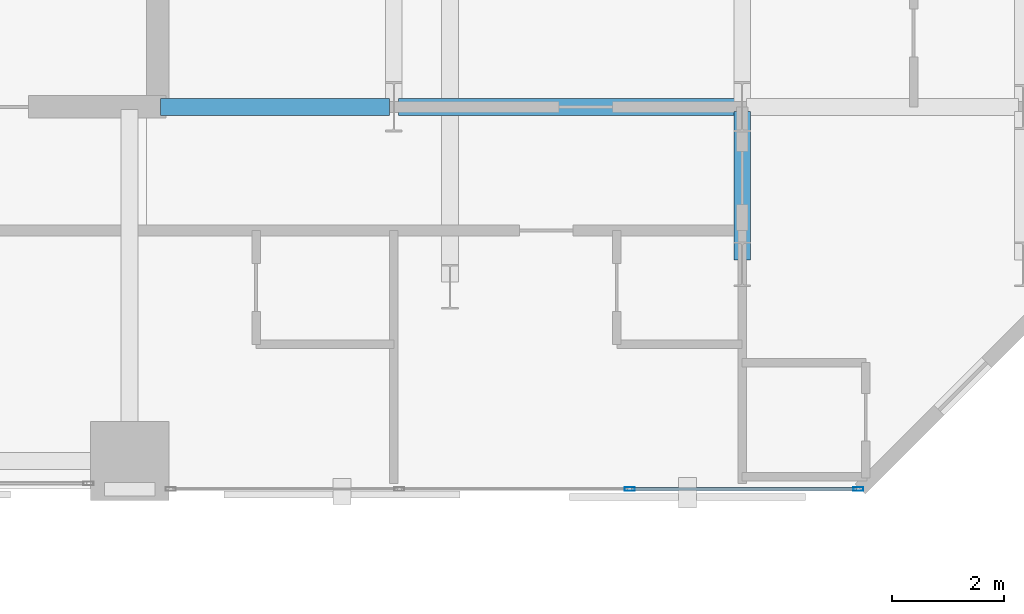
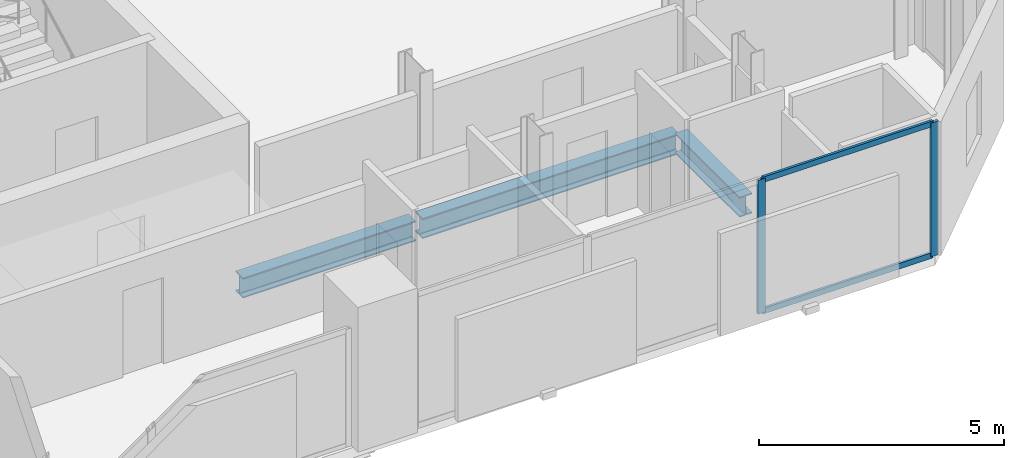
# One storey, part 16 of 33: 4 members, 3 beams, 1 element without a shape of its own.
"""IFC4 building model written with IfcOpenShell, lengths in metres."""

from ifc_helpers import new_model, si_unit, direction, frame, origin, origin_2d, place, context, subcontext, project, spatial, hollow_rectangle, i_section, extrude, material, layer, layer_set, material_profile, profile_set, type_object, element, aggregate, save


model = new_model("IFC4")

# Units and contexts
model_context = context("Model", 3, precision=1e-05, world=origin(), true_north=direction((0.0, 1.0)))
body_context = subcontext(model_context, "Body", "Model", "MODEL_VIEW")
ifc_project = project(units=[si_unit("LENGTHUNIT", "METRE"), si_unit("AREAUNIT", "SQUARE_METRE"), si_unit("VOLUMEUNIT", "CUBIC_METRE"), si_unit("PLANEANGLEUNIT", "RADIAN"), si_unit("MASSUNIT", "GRAM", prefix="KILO")], contexts=[model_context])

# Site, building, storey
site_placement = place(None, origin())
site = spatial("IfcSite", under=ifc_project, at=site_placement, CompositionType="ELEMENT")
building_placement = place(site_placement, origin())
building = spatial("IfcBuilding", under=site, at=building_placement, Name="Catumbela Crestline Tower", CompositionType="ELEMENT")
storey_placement = place(building_placement, frame((0.0, 0.0, 43.8)))
storey = spatial("IfcBuildingStorey", under=building, at=storey_placement, Name="L10", CompositionType="ELEMENT", Elevation=43.8)

# Beams
ifc_material_1 = material(Name="Structural steel S355J2", Category="steel")
ifc_material_profile_1 = material_profile(ifc_material_1, i_section(OverallWidth=0.3, OverallDepth=0.5, WebThickness=0.0145, FlangeThickness=0.028, FilletRadius=0.027, at=origin_2d()), Name="HEB 500")
ifc_profile_set_1 = profile_set([ifc_material_profile_1], Name="Structural steel S355J2")
beam_type = type_object("IfcBeamType", Name="BG-HEB500", PredefinedType="BEAM", material=ifc_profile_set_1)
beam_1_placement = place(storey_placement, frame((40.05, 30.8, -0.51), z_axis=(1.0, 0.0, 0.0), x_axis=(0.0, 1.0, 0.0)))
element("IfcBeam", 1, at=beam_1_placement, inside=storey, type_object=beam_type, Name="L10 Beam BM-L10-M10", PredefinedType="BEAM", context=body_context, shape_type="SweptSolid", body=[
    extrude(i_section(OverallWidth=0.3, OverallDepth=0.5, WebThickness=0.0145, FlangeThickness=0.028, FilletRadius=0.027, at=origin_2d()), origin(), (0.0, 0.0, 1.0), 4.07),
])
beam_2_placement = place(storey_placement, frame((44.28, 30.8, -0.51), z_axis=(1.0, 0.0, 0.0), x_axis=(0.0, 1.0, 0.0)))
element("IfcBeam", 2, at=beam_2_placement, inside=storey, type_object=beam_type, Name="L10 Beam BM-L10-M11", PredefinedType="BEAM", context=body_context, shape_type="SweptSolid", body=[
    extrude(i_section(OverallWidth=0.3, OverallDepth=0.5, WebThickness=0.0145, FlangeThickness=0.028, FilletRadius=0.027, at=origin_2d()), origin(), (0.0, 0.0, 1.0), 6.04),
])
beam_3_placement = place(storey_placement, frame((50.4, 28.08, -0.51), z_axis=(0.0, 1.0, 0.0), x_axis=(-1.0, 0.0, 0.0)))
element("IfcBeam", 3, at=beam_3_placement, inside=storey, type_object=beam_type, Name="L10 Beam BM-L10-SN37", PredefinedType="BEAM", context=body_context, shape_type="SweptSolid", body=[
    extrude(i_section(OverallWidth=0.3, OverallDepth=0.5, WebThickness=0.0145, FlangeThickness=0.028, FilletRadius=0.027, at=origin_2d()), origin(), (0.0, 0.0, 1.0), 2.64),
])

# Curtain wall, members
ifc_material_2 = material(Name="Aluminium alloy AW-6060-T66", Category="aluminium")
ifc_layer = layer(ifc_material_2, 0.18, Name="Aluminium alloy AW-6060-T66")
ifc_layer_set = layer_set([ifc_layer], Name="Aluminium alloy AW-6060-T66")
curtain_wall_type = type_object("IfcCurtainWallType", Name="CWU-Z1", PredefinedType="USERDEFINED", material=ifc_layer_set)
curtain_wall_placement = place(storey_placement, origin())
curtain_wall = element("IfcCurtainWall", 4, at=curtain_wall_placement, inside=storey, type_object=curtain_wall_type, Name="L10 Unitised Curtain Wall CW-L10-E3S2", ObjectType="UNITISED", PredefinedType="USERDEFINED")
ifc_material_profile_2 = material_profile(ifc_material_2, hollow_rectangle(XDim=0.065, YDim=0.18, WallThickness=0.004, at=origin_2d()), Name="ALU 180x65x4")
ifc_profile_set_2 = profile_set([ifc_material_profile_2], Name="Aluminium alloy AW-6060-T66")
member_type_1 = type_object("IfcMemberType", Name="MUL-180X65", PredefinedType="MULLION", material=ifc_profile_set_2)
member_1_placement = place(storey_placement, frame((48.4, 24.0, 0.0), z_axis=(0.0, 0.0, 1.0), x_axis=(0.0, 1.0, 0.0)))
member_1 = element("IfcMember", 5, at=member_1_placement, type_object=member_type_1, Name="CWU-Z1 mullion 3", PredefinedType="MULLION", context=body_context, shape_type="SweptSolid", body=[
    extrude(hollow_rectangle(XDim=0.065, YDim=0.18, WallThickness=0.004, at=origin_2d()), origin(), (0.0, 0.0, 1.0), 3.33),
])
member_2_placement = place(storey_placement, frame((52.4675, 24.0, 0.0), z_axis=(0.0, 0.0, 1.0), x_axis=(0.0, 1.0, 0.0)))
member_2 = element("IfcMember", 6, at=member_2_placement, type_object=member_type_1, Name="CWU-Z1 mullion 4", PredefinedType="MULLION", context=body_context, shape_type="SweptSolid", body=[
    extrude(hollow_rectangle(XDim=0.065, YDim=0.18, WallThickness=0.004, at=origin_2d()), origin(), (0.0, 0.0, 1.0), 3.33),
])
ifc_material_profile_3 = material_profile(ifc_material_2, hollow_rectangle(XDim=0.06, YDim=0.14, WallThickness=0.004, at=origin_2d()), Name="ALU 140x60x4")
ifc_profile_set_3 = profile_set([ifc_material_profile_3], Name="Aluminium alloy AW-6060-T66")
member_type_2 = type_object("IfcMemberType", Name="TRN-140X60", PredefinedType="USERDEFINED", material=ifc_profile_set_3)
member_3_placement = place(storey_placement, frame((48.4325, 24.0, 0.03), z_axis=(1.0, 0.0, 0.0), x_axis=(0.0, 1.0, 0.0)))
member_3 = element("IfcMember", 7, at=member_3_placement, type_object=member_type_2, Name="CWU-Z1 transom 3.1", ObjectType="TRANSOM", PredefinedType="USERDEFINED", context=body_context, shape_type="SweptSolid", body=[
    extrude(hollow_rectangle(XDim=0.06, YDim=0.14, WallThickness=0.004, at=origin_2d()), origin(), (0.0, 0.0, 1.0), 4.0025),
])
member_4_placement = place(storey_placement, frame((48.4325, 24.0, 3.3), z_axis=(1.0, 0.0, 0.0), x_axis=(0.0, 1.0, 0.0)))
member_4 = element("IfcMember", 8, at=member_4_placement, type_object=member_type_2, Name="CWU-Z1 transom 3.2", ObjectType="TRANSOM", PredefinedType="USERDEFINED", context=body_context, shape_type="SweptSolid", body=[
    extrude(hollow_rectangle(XDim=0.06, YDim=0.14, WallThickness=0.004, at=origin_2d()), origin(), (0.0, 0.0, 1.0), 4.0025),
])
aggregate(curtain_wall, [member_1, member_2, member_3, member_4])

save(model, "model.ifc")
